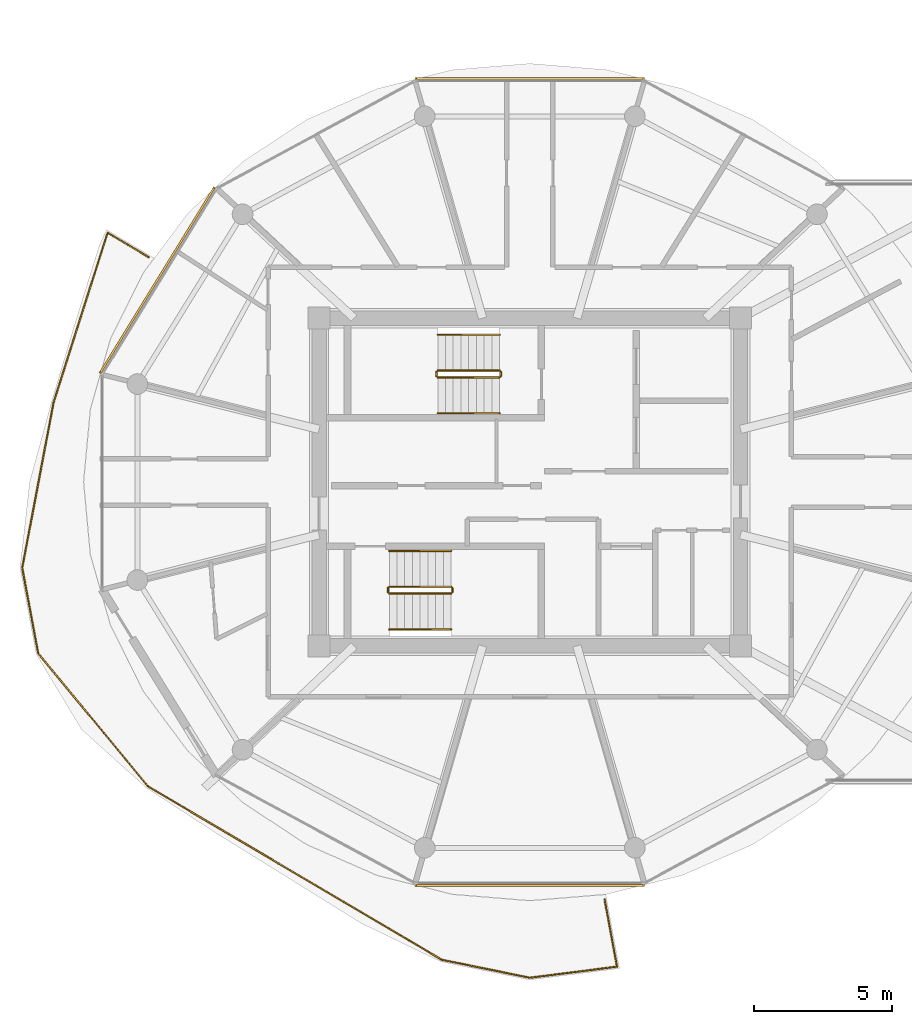
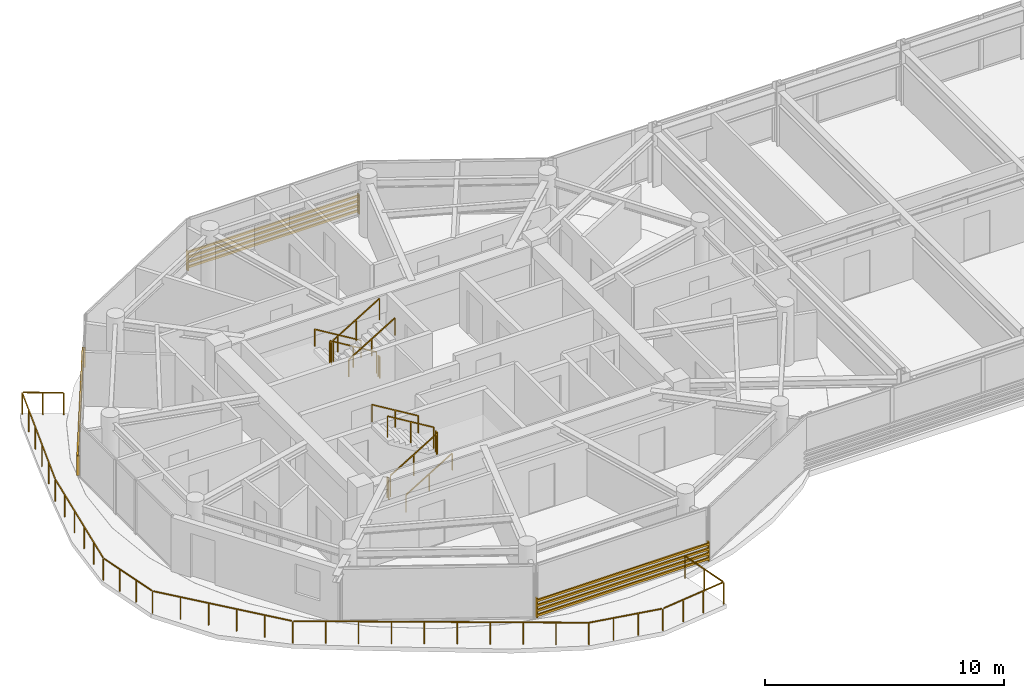
# One storey, part 21 of 23: 14 railings, 3 shading devices.
"""IFC4 building model written with IfcOpenShell, lengths in metres."""

from ifc_helpers import new_model, si_unit, direction, frame, origin, origin_2d, place, context, subcontext, project, spatial, rectangle, extrude, source, transform, mapped, material, type_object, type_shapes, element, save


model = new_model("IFC4")

# Units and contexts
model_context = context("Model", 3, precision=1e-05, world=origin(), true_north=direction((0.0, 1.0)))
body_context = subcontext(model_context, "Body", "Model", "MODEL_VIEW")
ifc_project = project(units=[si_unit("LENGTHUNIT", "METRE"), si_unit("AREAUNIT", "SQUARE_METRE"), si_unit("VOLUMEUNIT", "CUBIC_METRE"), si_unit("PLANEANGLEUNIT", "RADIAN"), si_unit("MASSUNIT", "GRAM", prefix="KILO")], contexts=[model_context])

# Site, building, storey
site_placement = place(None, origin())
site = spatial("IfcSite", under=ifc_project, at=site_placement, CompositionType="ELEMENT")
building_placement = place(site_placement, origin())
building = spatial("IfcBuilding", under=site, at=building_placement, Name="Norrkilde Senior Care Towers", CompositionType="ELEMENT")
storey_placement = place(building_placement, frame((0.0, 0.0, 220.0)))
storey = spatial("IfcBuildingStorey", under=building, at=storey_placement, Name="L68", CompositionType="ELEMENT", Elevation=220.0)

# Railings
ifc_material_1 = material(Name="Anodised Aluminium", Category="aluminium")
railing_type_1 = type_object("IfcRailingType", Name="Balcony Swirl Ribbon Guardrail 1150", PredefinedType="GUARDRAIL", material=ifc_material_1)
railing_1_placement = place(storey_placement, frame((-31.193603515625, -17.34814453125, 0.0)))
element("IfcRailing", 1, at=railing_1_placement, inside=storey, type_object=railing_type_1, Name="L68 Perimeter Safety Guard 03", PredefinedType="GUARDRAIL", context=body_context, shape_type="SweptSolid", body=[
    extrude(rectangle(XDim=0.048095703125, YDim=0.048095703125, at=origin_2d()), frame((0.0, 0.0, 1.1259765625), z_axis=(-0.861237435307, 0.508202794194, 0.0), x_axis=(-0.508202794194, -0.861237435307, 0.0)), (0.0, 0.0, 1.0), 12.349609375),
    extrude(rectangle(XDim=0.048095703125, YDim=0.048095703125, at=origin_2d()), frame((-10.697265625, 6.328369140625, 1.1259765625), z_axis=(-0.636246703373, 0.771485665743, 0.0), x_axis=(-0.771485665743, -0.636246703373, 0.0)), (0.0, 0.0, 1.0), 6.182373046875),
    extrude(rectangle(XDim=0.048095703125, YDim=0.048095703125, at=origin_2d()), frame((-14.664306640625, 11.169921875, 1.1259765625), z_axis=(-0.183840040067, 0.982956173829, 0.0), x_axis=(-0.982956173829, -0.183840040067, 0.0)), (0.0, 0.0, 1.0), 3.073486328125),
    extrude(rectangle(XDim=0.048095703125, YDim=0.048095703125, at=origin_2d()), frame((-15.229248046875, 14.271484375, 1.1259765625), z_axis=(0.186243170544, 0.982503680108, 0.0), x_axis=(-0.982503680108, 0.186243170544, 0.0)), (0.0, 0.0, 1.0), 6.025634765625),
    extrude(rectangle(XDim=0.048095703125, YDim=0.048095703125, at=origin_2d()), frame((-14.0869140625, 20.270751953125, 1.1259765625), z_axis=(0.303077607683, 0.952965877522, 0.0), x_axis=(-0.952965877522, 0.303077607683, 0.0)), (0.0, 0.0, 1.0), 6.39404296875),
    extrude(rectangle(XDim=0.048095703125, YDim=0.048095703125, at=origin_2d()), frame((-12.1015625, 26.3818359375, 1.1259765625), z_axis=(0.858764317636, -0.51237080982, 0.0), x_axis=(0.51237080982, 0.858764317636, 0.0)), (0.0, 0.0, 1.0), 1.70068359375),
    extrude(rectangle(XDim=0.0419921875, YDim=0.0419921875, at=origin_2d()), origin(), (0.0, 0.0, 1.0), 1.099853515625),
    extrude(rectangle(XDim=0.0419921875, YDim=0.0419921875, at=origin_2d()), frame((-1.185791015625, 0.69970703125, 0.0)), (0.0, 0.0, 1.0), 1.099853515625),
    extrude(rectangle(XDim=0.0419921875, YDim=0.0419921875, at=origin_2d()), frame((-2.371337890625, 1.3994140625, 0.0)), (0.0, 0.0, 1.0), 1.099853515625),
    extrude(rectangle(XDim=0.0419921875, YDim=0.0419921875, at=origin_2d()), frame((-3.55712890625, 2.098876953125, 0.0)), (0.0, 0.0, 1.0), 1.099853515625),
    extrude(rectangle(XDim=0.0419921875, YDim=0.0419921875, at=origin_2d()), frame((-4.74267578125, 2.798583984375, 0.0)), (0.0, 0.0, 1.0), 1.099853515625),
    extrude(rectangle(XDim=0.0419921875, YDim=0.0419921875, at=origin_2d()), frame((-5.928466796875, 3.498291015625, 0.0)), (0.0, 0.0, 1.0), 1.099853515625),
    extrude(rectangle(XDim=0.0419921875, YDim=0.0419921875, at=origin_2d()), frame((-7.114013671875, 4.197998046875, 0.0)), (0.0, 0.0, 1.0), 1.099853515625),
    extrude(rectangle(XDim=0.0419921875, YDim=0.0419921875, at=origin_2d()), frame((-8.2998046875, 4.8974609375, 0.0)), (0.0, 0.0, 1.0), 1.099853515625),
    extrude(rectangle(XDim=0.0419921875, YDim=0.0419921875, at=origin_2d()), frame((-9.4853515625, 5.59716796875, 0.0)), (0.0, 0.0, 1.0), 1.099853515625),
    extrude(rectangle(XDim=0.0419921875, YDim=0.0419921875, at=origin_2d()), frame((-10.671142578125, 6.296875, 0.0)), (0.0, 0.0, 1.0), 1.099853515625),
    extrude(rectangle(XDim=0.0419921875, YDim=0.0419921875, at=origin_2d()), frame((-11.46826171875, 7.263427734375, 0.0)), (0.0, 0.0, 1.0), 1.099853515625),
    extrude(rectangle(XDim=0.0419921875, YDim=0.0419921875, at=origin_2d()), frame((-12.265380859375, 8.22998046875, 0.0)), (0.0, 0.0, 1.0), 1.099853515625),
    extrude(rectangle(XDim=0.0419921875, YDim=0.0419921875, at=origin_2d()), frame((-13.0625, 9.196533203125, 0.0)), (0.0, 0.0, 1.0), 1.099853515625),
    extrude(rectangle(XDim=0.0419921875, YDim=0.0419921875, at=origin_2d()), frame((-13.859619140625, 10.1630859375, 0.0)), (0.0, 0.0, 1.0), 1.099853515625),
    extrude(rectangle(XDim=0.0419921875, YDim=0.0419921875, at=origin_2d()), frame((-14.65673828125, 11.129638671875, 0.0)), (0.0, 0.0, 1.0), 1.099853515625),
    extrude(rectangle(XDim=0.0419921875, YDim=0.0419921875, at=origin_2d()), frame((-14.85009765625, 12.16357421875, 0.0)), (0.0, 0.0, 1.0), 1.099853515625),
    extrude(rectangle(XDim=0.0419921875, YDim=0.0419921875, at=origin_2d()), frame((-15.04345703125, 13.197265625, 0.0)), (0.0, 0.0, 1.0), 1.099853515625),
    extrude(rectangle(XDim=0.0419921875, YDim=0.0419921875, at=origin_2d()), frame((-15.23681640625, 14.231201171875, 0.0)), (0.0, 0.0, 1.0), 1.099853515625),
    extrude(rectangle(XDim=0.0419921875, YDim=0.0419921875, at=origin_2d()), frame((-15.00927734375, 15.431396484375, 0.0)), (0.0, 0.0, 1.0), 1.099853515625),
    extrude(rectangle(XDim=0.0419921875, YDim=0.0419921875, at=origin_2d()), frame((-14.78173828125, 16.63134765625, 0.0)), (0.0, 0.0, 1.0), 1.099853515625),
    extrude(rectangle(XDim=0.0419921875, YDim=0.0419921875, at=origin_2d()), frame((-14.554443359375, 17.83154296875, 0.0)), (0.0, 0.0, 1.0), 1.099853515625),
    extrude(rectangle(XDim=0.0419921875, YDim=0.0419921875, at=origin_2d()), frame((-14.326904296875, 19.031494140625, 0.0)), (0.0, 0.0, 1.0), 1.099853515625),
    extrude(rectangle(XDim=0.0419921875, YDim=0.0419921875, at=origin_2d()), frame((-14.099365234375, 20.231689453125, 0.0)), (0.0, 0.0, 1.0), 1.099853515625),
    extrude(rectangle(XDim=0.0419921875, YDim=0.0419921875, at=origin_2d()), frame((-13.706787109375, 21.4658203125, 0.0)), (0.0, 0.0, 1.0), 1.099853515625),
    extrude(rectangle(XDim=0.0419921875, YDim=0.0419921875, at=origin_2d()), frame((-13.314208984375, 22.7001953125, 0.0)), (0.0, 0.0, 1.0), 1.099853515625),
    extrude(rectangle(XDim=0.0419921875, YDim=0.0419921875, at=origin_2d()), frame((-12.921875, 23.934326171875, 0.0)), (0.0, 0.0, 1.0), 1.099853515625),
    extrude(rectangle(XDim=0.0419921875, YDim=0.0419921875, at=origin_2d()), frame((-12.529296875, 25.168701171875, 0.0)), (0.0, 0.0, 1.0), 1.099853515625),
    extrude(rectangle(XDim=0.0419921875, YDim=0.0419921875, at=origin_2d()), frame((-12.13671875, 26.40283203125, 0.0)), (0.0, 0.0, 1.0), 1.099853515625),
    extrude(rectangle(XDim=0.0419921875, YDim=0.0419921875, at=origin_2d()), frame((-11.388916015625, 25.95654296875, 0.0)), (0.0, 0.0, 1.0), 1.099853515625),
    extrude(rectangle(XDim=0.0419921875, YDim=0.0419921875, at=origin_2d()), frame((-10.64111328125, 25.510498046875, 0.0)), (0.0, 0.0, 1.0), 1.099853515625),
])
railing_2_placement = place(storey_placement, frame((-25.28271484375, -15.157470703125, 0.0)))
element("IfcRailing", 2, at=railing_2_placement, inside=storey, type_object=railing_type_1, Name="L68 Perimeter Safety Guard 04", PredefinedType="GUARDRAIL", context=body_context, shape_type="SweptSolid", body=[
    extrude(rectangle(XDim=0.048095703125, YDim=0.048095703125, at=origin_2d()), frame((0.0, 0.0, 1.1259765625), z_axis=(0.181610382401, -0.983370565455, 0.0), x_axis=(0.983370565455, 0.181610382401, 0.0)), (0.0, 0.0, 1.0), 2.442138671875),
    extrude(rectangle(XDim=0.048095703125, YDim=0.048095703125, at=origin_2d()), frame((0.410400390625, -2.44677734375, 1.1259765625), z_axis=(-0.99199878287, -0.126247434766, 0.0), x_axis=(0.126247434766, -0.99199878287, 0.0)), (0.0, 0.0, 1.0), 3.109130859375),
    extrude(rectangle(XDim=0.048095703125, YDim=0.048095703125, at=origin_2d()), frame((-2.75439453125, -2.836181640625, 1.1259765625), z_axis=(-0.979716601677, 0.20038807449, 0.0), x_axis=(-0.20038807449, -0.979716601677, 0.0)), (0.0, 0.0, 1.0), 3.221923828125),
    extrude(rectangle(XDim=0.0419921875, YDim=0.0419921875, at=origin_2d()), origin(), (0.0, 0.0, 1.0), 1.099853515625),
    extrude(rectangle(XDim=0.0419921875, YDim=0.0419921875, at=origin_2d()), frame((0.2255859375, -1.220703125, 0.0)), (0.0, 0.0, 1.0), 1.099853515625),
    extrude(rectangle(XDim=0.0419921875, YDim=0.0419921875, at=origin_2d()), frame((0.450927734375, -2.441650390625, 0.0)), (0.0, 0.0, 1.0), 1.099853515625),
    extrude(rectangle(XDim=0.0419921875, YDim=0.0419921875, at=origin_2d()), frame((-0.604248046875, -2.575927734375, 0.0)), (0.0, 0.0, 1.0), 1.099853515625),
    extrude(rectangle(XDim=0.0419921875, YDim=0.0419921875, at=origin_2d()), frame((-1.6591796875, -2.710205078125, 0.0)), (0.0, 0.0, 1.0), 1.099853515625),
    extrude(rectangle(XDim=0.0419921875, YDim=0.0419921875, at=origin_2d()), frame((-2.71435546875, -2.844482421875, 0.0)), (0.0, 0.0, 1.0), 1.099853515625),
    extrude(rectangle(XDim=0.0419921875, YDim=0.0419921875, at=origin_2d()), frame((-3.77978515625, -2.62646484375, 0.0)), (0.0, 0.0, 1.0), 1.099853515625),
    extrude(rectangle(XDim=0.0419921875, YDim=0.0419921875, at=origin_2d()), frame((-4.845458984375, -2.40869140625, 0.0)), (0.0, 0.0, 1.0), 1.099853515625),
    extrude(rectangle(XDim=0.0419921875, YDim=0.0419921875, at=origin_2d()), frame((-5.910888671875, -2.190673828125, 0.0)), (0.0, 0.0, 1.0), 1.099853515625),
])
ifc_material_2 = material(Name="Stainless Steel", Category="steel")
railing_type_2 = type_object("IfcRailingType", Name="Stair and Terrace Guardrail 1100", PredefinedType="GUARDRAIL", material=ifc_material_2)
railing_3_placement = place(storey_placement, frame((-29.10009765625, 4.050048828125, 0.16943359375)))
element("IfcRailing", 3, at=railing_3_placement, inside=storey, type_object=railing_type_2, Name="L68 ST-W1 stair guard 1", PredefinedType="GUARDRAIL", context=body_context, shape_type="SweptSolid", body=[
    extrude(rectangle(XDim=0.048095703125, YDim=0.048095703125, at=origin_2d()), frame((0.0, 0.0, 1.076171875), z_axis=(-0.855553338991, 0.0, 0.51771467445), x_axis=(0.0, -1.0, 0.0)), (0.0, 0.0, 1.0), 2.6181640625),
    extrude(rectangle(XDim=0.0419921875, YDim=0.0419921875, at=origin_2d()), origin(), (0.0, 0.0, 1.0), 1.050048828125),
    extrude(rectangle(XDim=0.0419921875, YDim=0.0419921875, at=origin_2d()), frame((-1.1201171875, 0.0, 0.677734375)), (0.0, 0.0, 1.0), 1.050048828125),
    extrude(rectangle(XDim=0.0419921875, YDim=0.0419921875, at=origin_2d()), frame((-2.239990234375, 0.0, 1.35546875)), (0.0, 0.0, 1.0), 1.050048828125),
])
railing_4_placement = place(storey_placement, frame((-31.389892578125, 4.0, 1.52490234375)))
element("IfcRailing", 4, at=railing_4_placement, inside=storey, type_object=railing_type_2, Name="L68 ST-W1 stair guard 2", PredefinedType="GUARDRAIL", context=body_context, shape_type="SweptSolid", body=[
    extrude(rectangle(XDim=0.048095703125, YDim=0.048095703125, at=origin_2d()), frame((0.0, 0.0, 1.076171875), z_axis=(0.0, -1.0, 0.0), x_axis=(1.0, 0.0, 0.0)), (0.0, 0.0, 1.0), 0.14990234375),
    extrude(rectangle(XDim=0.0419921875, YDim=0.0419921875, at=origin_2d()), origin(), (0.0, 0.0, 1.0), 1.050048828125),
    extrude(rectangle(XDim=0.0419921875, YDim=0.0419921875, at=origin_2d()), frame((0.0, -0.14990234375, 0.0)), (0.0, 0.0, 1.0), 1.050048828125),
])
railing_5_placement = place(storey_placement, frame((-31.340087890625, 3.800048828125, 1.6943359375)))
element("IfcRailing", 5, at=railing_5_placement, inside=storey, type_object=railing_type_2, Name="L68 ST-W1 stair guard 3", PredefinedType="GUARDRAIL", context=body_context, shape_type="SweptSolid", body=[
    extrude(rectangle(XDim=0.048095703125, YDim=0.048095703125, at=origin_2d()), frame((0.0, 0.0, 1.076171875), z_axis=(0.855512035549, 0.0, 0.517782924622), x_axis=(0.0, 1.0, 0.0)), (0.0, 0.0, 1.0), 2.618408203125),
    extrude(rectangle(XDim=0.0419921875, YDim=0.0419921875, at=origin_2d()), origin(), (0.0, 0.0, 1.0), 1.050048828125),
    extrude(rectangle(XDim=0.0419921875, YDim=0.0419921875, at=origin_2d()), frame((1.1201171875, 0.0, 0.677734375)), (0.0, 0.0, 1.0), 1.050048828125),
    extrude(rectangle(XDim=0.0419921875, YDim=0.0419921875, at=origin_2d()), frame((2.239990234375, 0.0, 1.355712890625)), (0.0, 0.0, 1.0), 1.050048828125),
])
railing_6_placement = place(storey_placement, frame((-29.050048828125, 4.0, 0.0)))
element("IfcRailing", 6, at=railing_6_placement, inside=storey, type_object=railing_type_2, Name="L68 ST-W1 stair guard 4", PredefinedType="GUARDRAIL", context=body_context, shape_type="SweptSolid", body=[
    extrude(rectangle(XDim=0.048095703125, YDim=0.048095703125, at=origin_2d()), frame((0.0, 0.0, 1.076171875), z_axis=(0.0, -1.0, 0.0), x_axis=(1.0, 0.0, 0.0)), (0.0, 0.0, 1.0), 0.14990234375),
    extrude(rectangle(XDim=0.0419921875, YDim=0.0419921875, at=origin_2d()), origin(), (0.0, 0.0, 1.0), 1.050048828125),
    extrude(rectangle(XDim=0.0419921875, YDim=0.0419921875, at=origin_2d()), frame((0.0, -0.14990234375, 0.0)), (0.0, 0.0, 1.0), 1.050048828125),
])
railing_7_placement = place(storey_placement, frame((-33.10009765625, -4.050048828125, 0.16943359375)))
element("IfcRailing", 7, at=railing_7_placement, inside=storey, type_object=railing_type_2, Name="L68 ST-W2 stair guard 1", PredefinedType="GUARDRAIL", context=body_context, shape_type="SweptSolid", body=[
    extrude(rectangle(XDim=0.048095703125, YDim=0.048095703125, at=origin_2d()), frame((0.0, 0.0, 1.076171875), z_axis=(0.855553338991, 0.0, 0.51771467445), x_axis=(0.0, 1.0, 0.0)), (0.0, 0.0, 1.0), 2.6181640625),
    extrude(rectangle(XDim=0.0419921875, YDim=0.0419921875, at=origin_2d()), origin(), (0.0, 0.0, 1.0), 1.050048828125),
    extrude(rectangle(XDim=0.0419921875, YDim=0.0419921875, at=origin_2d()), frame((1.1201171875, 0.0, 0.677734375)), (0.0, 0.0, 1.0), 1.050048828125),
    extrude(rectangle(XDim=0.0419921875, YDim=0.0419921875, at=origin_2d()), frame((2.239990234375, 0.0, 1.35546875)), (0.0, 0.0, 1.0), 1.050048828125),
])
railing_8_placement = place(storey_placement, frame((-30.81005859375, -4.0, 1.52490234375)))
element("IfcRailing", 8, at=railing_8_placement, inside=storey, type_object=railing_type_2, Name="L68 ST-W2 stair guard 2", PredefinedType="GUARDRAIL", context=body_context, shape_type="SweptSolid", body=[
    extrude(rectangle(XDim=0.048095703125, YDim=0.048095703125, at=origin_2d()), frame((0.0, 0.0, 1.076171875), z_axis=(0.0, 1.0, 0.0), x_axis=(-1.0, 0.0, 0.0)), (0.0, 0.0, 1.0), 0.14990234375),
    extrude(rectangle(XDim=0.0419921875, YDim=0.0419921875, at=origin_2d()), origin(), (0.0, 0.0, 1.0), 1.050048828125),
    extrude(rectangle(XDim=0.0419921875, YDim=0.0419921875, at=origin_2d()), frame((0.0, 0.14990234375, 0.0)), (0.0, 0.0, 1.0), 1.050048828125),
])
railing_9_placement = place(storey_placement, frame((-30.860107421875, -3.800048828125, 1.6943359375)))
element("IfcRailing", 9, at=railing_9_placement, inside=storey, type_object=railing_type_2, Name="L68 ST-W2 stair guard 3", PredefinedType="GUARDRAIL", context=body_context, shape_type="SweptSolid", body=[
    extrude(rectangle(XDim=0.048095703125, YDim=0.048095703125, at=origin_2d()), frame((0.0, 0.0, 1.076171875), z_axis=(-0.855512035549, 0.0, 0.517782924622), x_axis=(0.0, -1.0, 0.0)), (0.0, 0.0, 1.0), 2.618408203125),
    extrude(rectangle(XDim=0.0419921875, YDim=0.0419921875, at=origin_2d()), origin(), (0.0, 0.0, 1.0), 1.050048828125),
    extrude(rectangle(XDim=0.0419921875, YDim=0.0419921875, at=origin_2d()), frame((-1.1201171875, 0.0, 0.677734375)), (0.0, 0.0, 1.0), 1.050048828125),
    extrude(rectangle(XDim=0.0419921875, YDim=0.0419921875, at=origin_2d()), frame((-2.239990234375, 0.0, 1.355712890625)), (0.0, 0.0, 1.0), 1.050048828125),
])
railing_10_placement = place(storey_placement, frame((-33.14990234375, -4.0, 0.0)))
element("IfcRailing", 10, at=railing_10_placement, inside=storey, type_object=railing_type_2, Name="L68 ST-W2 stair guard 4", PredefinedType="GUARDRAIL", context=body_context, shape_type="SweptSolid", body=[
    extrude(rectangle(XDim=0.048095703125, YDim=0.048095703125, at=origin_2d()), frame((0.0, 0.0, 1.076171875), z_axis=(0.0, 1.0, 0.0), x_axis=(-1.0, 0.0, 0.0)), (0.0, 0.0, 1.0), 0.14990234375),
    extrude(rectangle(XDim=0.0419921875, YDim=0.0419921875, at=origin_2d()), origin(), (0.0, 0.0, 1.0), 1.050048828125),
    extrude(rectangle(XDim=0.0419921875, YDim=0.0419921875, at=origin_2d()), frame((0.0, 0.14990234375, 0.0)), (0.0, 0.0, 1.0), 1.050048828125),
])
ifc_material_3 = material(Name="Nordic Ash Timber", Category="wood")
railing_type_3 = type_object("IfcRailingType", Name="Wall and Stair Handrail 900", PredefinedType="HANDRAIL", material=ifc_material_3)
railing_11_placement = place(storey_placement, frame((-29.10009765625, 5.35009765625, 0.16943359375)))
element("IfcRailing", 11, at=railing_11_placement, inside=storey, type_object=railing_type_3, Name="L68 ST-W1 stair handrail 1", PredefinedType="HANDRAIL", context=body_context, shape_type="SweptSolid", body=[
    extrude(rectangle(XDim=0.048095703125, YDim=0.048095703125, at=origin_2d()), frame((0.0, 0.0, 0.8759765625), z_axis=(-0.855553338991, 0.0, 0.51771467445), x_axis=(0.0, -1.0, 0.0)), (0.0, 0.0, 1.0), 2.6181640625),
    extrude(rectangle(XDim=0.0419921875, YDim=0.0419921875, at=origin_2d()), origin(), (0.0, 0.0, 1.0), 0.849853515625),
    extrude(rectangle(XDim=0.0419921875, YDim=0.0419921875, at=origin_2d()), frame((-1.1201171875, 0.0, 0.677734375)), (0.0, 0.0, 1.0), 0.849853515625),
    extrude(rectangle(XDim=0.0419921875, YDim=0.0419921875, at=origin_2d()), frame((-2.239990234375, 0.0, 1.35546875)), (0.0, 0.0, 1.0), 0.849853515625),
])
railing_12_placement = place(storey_placement, frame((-31.340087890625, 2.5, 1.6943359375)))
element("IfcRailing", 12, at=railing_12_placement, inside=storey, type_object=railing_type_3, Name="L68 ST-W1 stair handrail 2", PredefinedType="HANDRAIL", context=body_context, shape_type="SweptSolid", body=[
    extrude(rectangle(XDim=0.048095703125, YDim=0.048095703125, at=origin_2d()), frame((0.0, 0.0, 0.8759765625), z_axis=(0.855512035549, 0.0, 0.517782924622), x_axis=(0.0, 1.0, 0.0)), (0.0, 0.0, 1.0), 2.618408203125),
    extrude(rectangle(XDim=0.0419921875, YDim=0.0419921875, at=origin_2d()), origin(), (0.0, 0.0, 1.0), 0.849853515625),
    extrude(rectangle(XDim=0.0419921875, YDim=0.0419921875, at=origin_2d()), frame((1.1201171875, 0.0, 0.677734375)), (0.0, 0.0, 1.0), 0.849853515625),
    extrude(rectangle(XDim=0.0419921875, YDim=0.0419921875, at=origin_2d()), frame((2.239990234375, 0.0, 1.355712890625)), (0.0, 0.0, 1.0), 0.849853515625),
])
railing_13_placement = place(storey_placement, frame((-33.10009765625, -5.35009765625, 0.16943359375)))
element("IfcRailing", 13, at=railing_13_placement, inside=storey, type_object=railing_type_3, Name="L68 ST-W2 stair handrail 1", PredefinedType="HANDRAIL", context=body_context, shape_type="SweptSolid", body=[
    extrude(rectangle(XDim=0.048095703125, YDim=0.048095703125, at=origin_2d()), frame((0.0, 0.0, 0.8759765625), z_axis=(0.855553338991, 0.0, 0.51771467445), x_axis=(0.0, 1.0, 0.0)), (0.0, 0.0, 1.0), 2.6181640625),
    extrude(rectangle(XDim=0.0419921875, YDim=0.0419921875, at=origin_2d()), origin(), (0.0, 0.0, 1.0), 0.849853515625),
    extrude(rectangle(XDim=0.0419921875, YDim=0.0419921875, at=origin_2d()), frame((1.1201171875, 0.0, 0.677734375)), (0.0, 0.0, 1.0), 0.849853515625),
    extrude(rectangle(XDim=0.0419921875, YDim=0.0419921875, at=origin_2d()), frame((2.239990234375, 0.0, 1.35546875)), (0.0, 0.0, 1.0), 0.849853515625),
])
railing_14_placement = place(storey_placement, frame((-30.860107421875, -2.5, 1.6943359375)))
element("IfcRailing", 14, at=railing_14_placement, inside=storey, type_object=railing_type_3, Name="L68 ST-W2 stair handrail 2", PredefinedType="HANDRAIL", context=body_context, shape_type="SweptSolid", body=[
    extrude(rectangle(XDim=0.048095703125, YDim=0.048095703125, at=origin_2d()), frame((0.0, 0.0, 0.8759765625), z_axis=(-0.855512035549, 0.0, 0.517782924622), x_axis=(0.0, -1.0, 0.0)), (0.0, 0.0, 1.0), 2.618408203125),
    extrude(rectangle(XDim=0.0419921875, YDim=0.0419921875, at=origin_2d()), origin(), (0.0, 0.0, 1.0), 0.849853515625),
    extrude(rectangle(XDim=0.0419921875, YDim=0.0419921875, at=origin_2d()), frame((-1.1201171875, 0.0, 0.677734375)), (0.0, 0.0, 1.0), 0.849853515625),
    extrude(rectangle(XDim=0.0419921875, YDim=0.0419921875, at=origin_2d()), frame((-2.239990234375, 0.0, 1.355712890625)), (0.0, 0.0, 1.0), 0.849853515625),
])

# Shading devices
ifc_material_4 = material(Name="Architectural Terracotta", Category="masonry")
shading_device_type = type_object("IfcShadingDeviceType", Name="Horizontal Terracotta Baguette Rack", PredefinedType="USERDEFINED", material=ifc_material_4)
shared_shape_1 = source(origin(), body_context, "Body", "SweptSolid", [
    extrude(rectangle(XDim=0.070068359375, YDim=0.110107421875, at=origin_2d()), frame((0.0, 0.090087890625, 0.125), z_axis=(1.0, 0.0, 0.0), x_axis=(0.0, 1.0, 0.0)), (0.0, 0.0, 1.0), 7.938232421875),
    extrude(rectangle(XDim=0.070068359375, YDim=0.110107421875, at=origin_2d()), frame((0.0, 0.090087890625, 0.375), z_axis=(1.0, 0.0, 0.0), x_axis=(0.0, 1.0, 0.0)), (0.0, 0.0, 1.0), 7.938232421875),
    extrude(rectangle(XDim=0.070068359375, YDim=0.110107421875, at=origin_2d()), frame((0.0, 0.090087890625, 0.625), z_axis=(1.0, 0.0, 0.0), x_axis=(0.0, 1.0, 0.0)), (0.0, 0.0, 1.0), 7.938232421875),
    extrude(rectangle(XDim=0.070068359375, YDim=0.110107421875, at=origin_2d()), frame((0.0, 0.090087890625, 0.875), z_axis=(1.0, 0.0, 0.0), x_axis=(0.0, 1.0, 0.0)), (0.0, 0.0, 1.0), 7.938232421875),
    extrude(rectangle(XDim=0.050048828125, YDim=0.1552734375, at=origin_2d()), frame((0.02490234375, 0.047607421875, 0.0)), (0.0, 0.0, 1.0), 1.0),
    extrude(rectangle(XDim=0.050048828125, YDim=0.1552734375, at=origin_2d()), frame((7.9130859375, 0.047607421875, 0.0)), (0.0, 0.0, 1.0), 1.0),
])
shading_device_placement = place(storey_placement, frame((-43.531982421875, 3.903076171875, 0.080078125), z_axis=(0.0, 0.0, 1.0), x_axis=(0.524250345994, 0.851576195602, 0.0)))
element("IfcShadingDevice", 15, at=shading_device_placement, inside=storey, type_object=shading_device_type, Name="L68 Drum W Terracotta Baguette Screen 04", ObjectType="BAGUETTE", PredefinedType="USERDEFINED", context=body_context, shape_type="MappedRepresentation", body=[
    mapped(shared_shape_1, transform((0.0, 0.0, 0.0), x_axis=(1.0, 0.0, 0.0), y_axis=(0.0, 1.0, 0.0), z_axis=(0.0, 0.0, 1.0), scale=1.0)),
])
shared_shape_2 = source(origin(), body_context, "Body", "SweptSolid", [
    extrude(rectangle(XDim=0.070068359375, YDim=0.110107421875, at=origin_2d()), frame((0.0, 0.090087890625, 0.125), z_axis=(1.0, 0.0, 0.0), x_axis=(0.0, 1.0, 0.0)), (0.0, 0.0, 1.0), 8.32373046875),
    extrude(rectangle(XDim=0.070068359375, YDim=0.110107421875, at=origin_2d()), frame((0.0, 0.090087890625, 0.375), z_axis=(1.0, 0.0, 0.0), x_axis=(0.0, 1.0, 0.0)), (0.0, 0.0, 1.0), 8.32373046875),
    extrude(rectangle(XDim=0.070068359375, YDim=0.110107421875, at=origin_2d()), frame((0.0, 0.090087890625, 0.625), z_axis=(1.0, 0.0, 0.0), x_axis=(0.0, 1.0, 0.0)), (0.0, 0.0, 1.0), 8.32373046875),
    extrude(rectangle(XDim=0.070068359375, YDim=0.110107421875, at=origin_2d()), frame((0.0, 0.090087890625, 0.875), z_axis=(1.0, 0.0, 0.0), x_axis=(0.0, 1.0, 0.0)), (0.0, 0.0, 1.0), 8.32373046875),
    extrude(rectangle(XDim=0.050048828125, YDim=0.1552734375, at=origin_2d()), frame((0.02490234375, 0.047607421875, 0.0)), (0.0, 0.0, 1.0), 1.0),
    extrude(rectangle(XDim=0.050048828125, YDim=0.1552734375, at=origin_2d()), frame((8.298828125, 0.047607421875, 0.0)), (0.0, 0.0, 1.0), 1.0),
])
type_shapes(shading_device_type, [shared_shape_1, shared_shape_2])
for number, where, z_axis, x_axis, name in (
    (16, (-32.161865234375, 14.566162109375, 0.080078125), (0.0, 0.0, 1.0), (1.0, 0.0, 0.0), "L68 Drum W Terracotta Baguette Screen 02"),
    (17, (-23.838134765625, -14.566162109375, 0.080078125), (0.0, 0.0, 1.0), (-1.0, 0.0, 0.0), "L68 Drum W Terracotta Baguette Screen 08"),
):
    element("IfcShadingDevice", number, at=place(storey_placement, frame(where, z_axis=z_axis, x_axis=x_axis)), inside=storey, type_object=shading_device_type, Name=name, ObjectType="BAGUETTE", PredefinedType="USERDEFINED", context=body_context, shape_type="MappedRepresentation", body=[
        mapped(shared_shape_2, transform((0.0, 0.0, 0.0), x_axis=(1.0, 0.0, 0.0), y_axis=(0.0, 1.0, 0.0), z_axis=(0.0, 0.0, 1.0), scale=1.0)),
    ])

save(model, "model.ifc")
